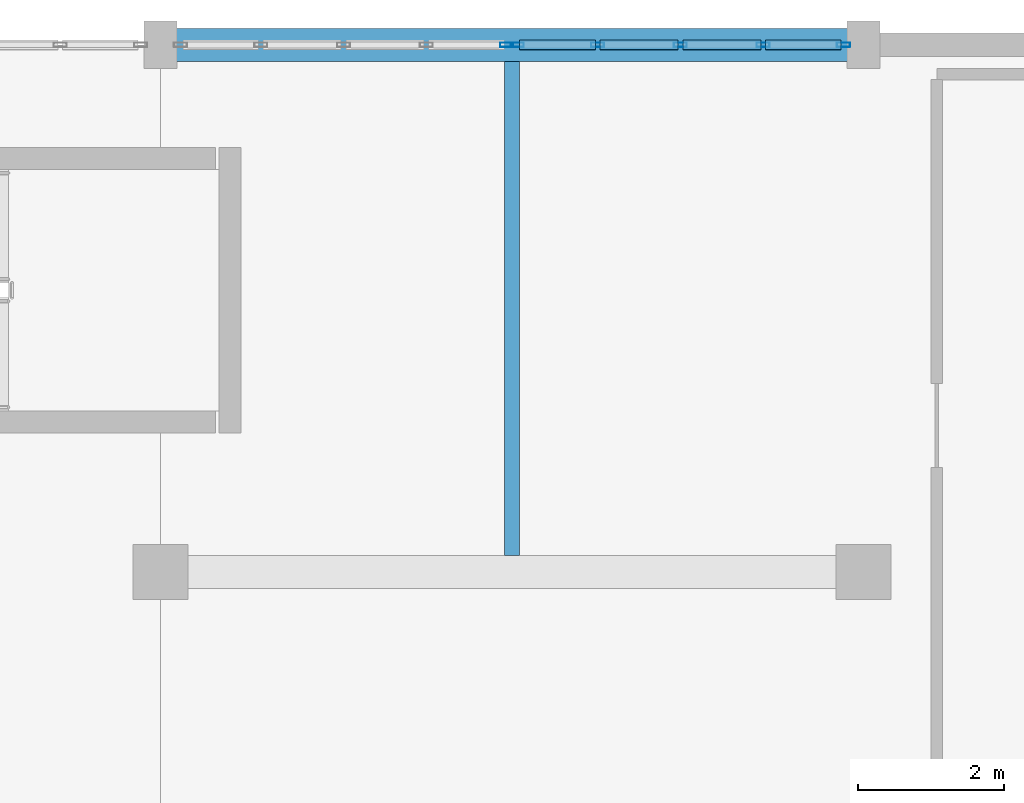
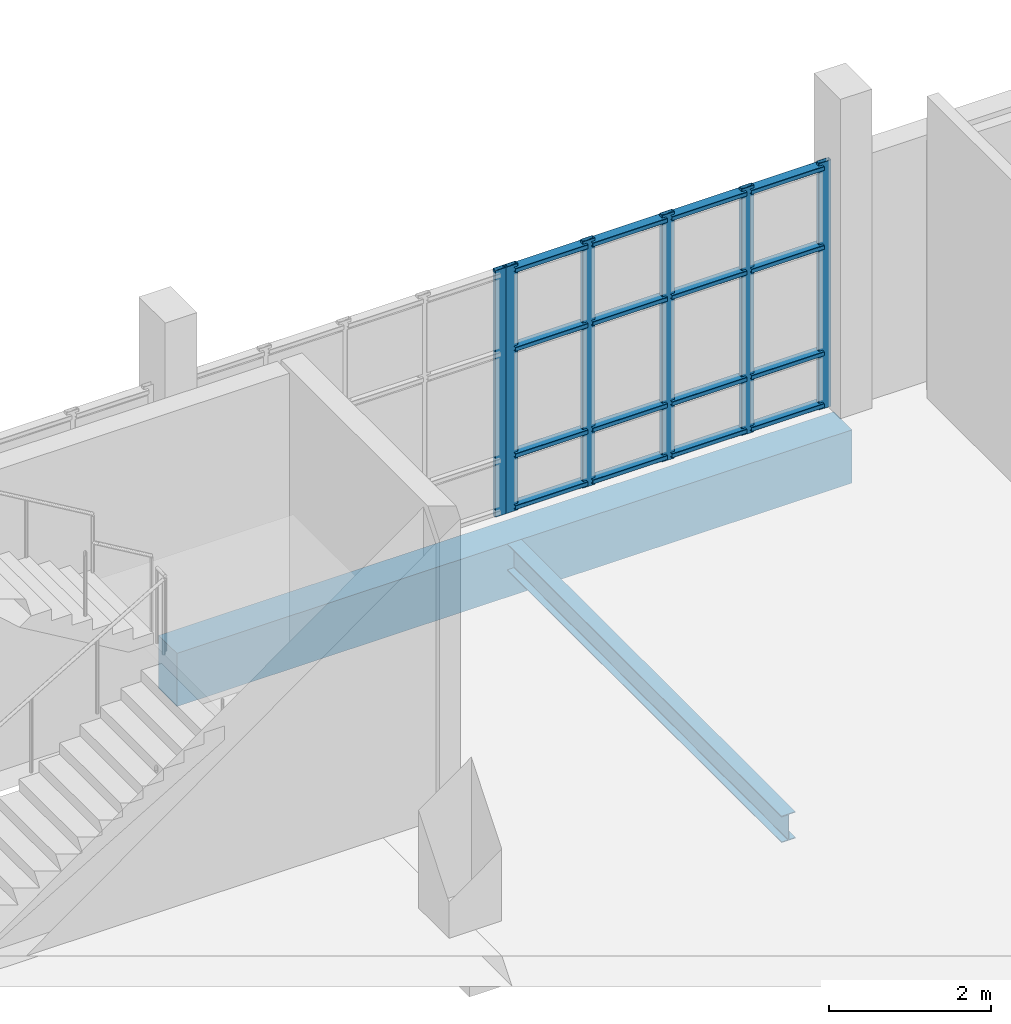
# One storey, part 60 of 106: 22 members, 2 beams, 2 elements without a shape of their own.
"""IFC4 building model written with IfcOpenShell, lengths in metres."""

from ifc_helpers import new_model, si_unit, direction, frame, origin, origin_2d, place, context, subcontext, project, spatial, rectangle, hollow_rectangle, i_section, extrude, material, layer, layer_set, material_profile, profile_set, type_object, element, aggregate, save


model = new_model("IFC4")

# Units and contexts
model_context = context("Model", 3, precision=1e-05, world=origin(), true_north=direction((0.0, 1.0)))
body_context = subcontext(model_context, "Body", "Model", "MODEL_VIEW")
ifc_project = project(units=[si_unit("LENGTHUNIT", "METRE"), si_unit("AREAUNIT", "SQUARE_METRE"), si_unit("VOLUMEUNIT", "CUBIC_METRE"), si_unit("PLANEANGLEUNIT", "RADIAN"), si_unit("MASSUNIT", "GRAM", prefix="KILO")], contexts=[model_context])

# Site, building, storey
site_placement = place(None, origin())
site = spatial("IfcSite", under=ifc_project, at=site_placement, CompositionType="ELEMENT")
building_placement = place(site_placement, origin())
building = spatial("IfcBuilding", under=site, at=building_placement, Name="Kisaragi Civic Commons", CompositionType="ELEMENT")
storey_placement = place(building_placement, frame((0.0, 0.0, 4.800048828125)))
storey = spatial("IfcBuildingStorey", under=building, at=storey_placement, Name="L01", CompositionType="ELEMENT", Elevation=4.800048828125)

# Curtain wall, member
ifc_material_1 = material(Name="Thermally broken anodized aluminium and low-E double glazing", Category="aluminium")
ifc_layer = layer(ifc_material_1, 0.179931640625, Name="Thermally broken anodized aluminium and low-E double glazing", Category="aluminium")
ifc_layer_set = layer_set([ifc_layer], Name="Thermally broken anodized aluminium and low-E double glazing")
curtain_wall_type = type_object("IfcCurtainWallType", Name="CW-01", PredefinedType="NOTDEFINED", material=ifc_layer_set)
curtain_wall_1_placement = place(storey_placement, origin())
curtain_wall_1 = element("IfcCurtainWall", 1, at=curtain_wall_1_placement, inside=storey, type_object=curtain_wall_type, Name="L01 curtain wall CW-01 CW-V4-L01-067", PredefinedType="NOTDEFINED")
ifc_material_profile_1 = material_profile(ifc_material_1, hollow_rectangle(XDim=0.06494140625, YDim=0.179931640625, WallThickness=0.00439453125, InnerFilletRadius=0.00439453125, OuterFilletRadius=0.009033203125, at=origin_2d()), Name="CWM-65x180x4.5", Category="aluminium")
ifc_profile_set_1 = profile_set([ifc_material_profile_1], Name="Thermally broken anodized aluminium and low-E double glazing")
member_type_1 = type_object("IfcMemberType", Name="CWM-02", PredefinedType="MULLION", material=ifc_profile_set_1)
member_1_placement = place(storey_placement, frame((128.327392578125, 118.800048828125, 0.0), z_axis=(0.0, 0.0, 1.0), x_axis=(0.0, 1.0, 0.0)))
member_1 = element("IfcMember", 2, at=member_1_placement, type_object=member_type_1, Name="CW-01 mullion 5", PredefinedType="MULLION", context=body_context, shape_type="SweptSolid", body=[
    extrude(hollow_rectangle(XDim=0.06494140625, YDim=0.179931640625, WallThickness=0.00439453125, InnerFilletRadius=0.00439453125, OuterFilletRadius=0.009033203125, at=origin_2d()), origin(), (0.0, 0.0, 1.0), 3.704833984375),
])
aggregate(curtain_wall_1, [member_1])

# Curtain wall, members
curtain_wall_2_placement = place(storey_placement, origin())
curtain_wall_2 = element("IfcCurtainWall", 3, at=curtain_wall_2_placement, inside=storey, type_object=curtain_wall_type, Name="L01 curtain wall CW-01 CW-V4-L01-068", PredefinedType="NOTDEFINED")
member_2_placement = place(storey_placement, frame((128.472412109375, 118.800048828125, 0.0), z_axis=(0.0, 0.0, 1.0), x_axis=(0.0, 1.0, 0.0)))
member_2 = element("IfcMember", 4, at=member_2_placement, type_object=member_type_1, Name="CW-01 mullion 1", PredefinedType="MULLION", context=body_context, shape_type="SweptSolid", body=[
    extrude(hollow_rectangle(XDim=0.06494140625, YDim=0.179931640625, WallThickness=0.00439453125, InnerFilletRadius=0.00439453125, OuterFilletRadius=0.009033203125, at=origin_2d()), origin(), (0.0, 0.0, 1.0), 3.704833984375),
])
member_3_placement = place(storey_placement, frame((129.570068359375, 118.800048828125, 0.0), z_axis=(0.0, 0.0, 1.0), x_axis=(0.0, 1.0, 0.0)))
member_3 = element("IfcMember", 5, at=member_3_placement, type_object=member_type_1, Name="CW-01 mullion 2", PredefinedType="MULLION", context=body_context, shape_type="SweptSolid", body=[
    extrude(hollow_rectangle(XDim=0.06494140625, YDim=0.179931640625, WallThickness=0.00439453125, InnerFilletRadius=0.00439453125, OuterFilletRadius=0.009033203125, at=origin_2d()), origin(), (0.0, 0.0, 1.0), 3.704833984375),
])
member_4_placement = place(storey_placement, frame((130.699951171875, 118.800048828125, 0.0), z_axis=(0.0, 0.0, 1.0), x_axis=(0.0, 1.0, 0.0)))
member_4 = element("IfcMember", 6, at=member_4_placement, type_object=member_type_1, Name="CW-01 mullion 3", PredefinedType="MULLION", context=body_context, shape_type="SweptSolid", body=[
    extrude(hollow_rectangle(XDim=0.06494140625, YDim=0.179931640625, WallThickness=0.00439453125, InnerFilletRadius=0.00439453125, OuterFilletRadius=0.009033203125, at=origin_2d()), origin(), (0.0, 0.0, 1.0), 3.704833984375),
])
member_5_placement = place(storey_placement, frame((131.830078125, 118.800048828125, 0.0), z_axis=(0.0, 0.0, 1.0), x_axis=(0.0, 1.0, 0.0)))
member_5 = element("IfcMember", 7, at=member_5_placement, type_object=member_type_1, Name="CW-01 mullion 4", PredefinedType="MULLION", context=body_context, shape_type="SweptSolid", body=[
    extrude(hollow_rectangle(XDim=0.06494140625, YDim=0.179931640625, WallThickness=0.00439453125, InnerFilletRadius=0.00439453125, OuterFilletRadius=0.009033203125, at=origin_2d()), origin(), (0.0, 0.0, 1.0), 3.704833984375),
])
member_6_placement = place(storey_placement, frame((132.927490234375, 118.800048828125, 0.0), z_axis=(0.0, 0.0, 1.0), x_axis=(0.0, 1.0, 0.0)))
member_6 = element("IfcMember", 8, at=member_6_placement, type_object=member_type_1, Name="CW-01 mullion 5", PredefinedType="MULLION", context=body_context, shape_type="SweptSolid", body=[
    extrude(hollow_rectangle(XDim=0.06494140625, YDim=0.179931640625, WallThickness=0.00439453125, InnerFilletRadius=0.00439453125, OuterFilletRadius=0.009033203125, at=origin_2d()), origin(), (0.0, 0.0, 1.0), 3.704833984375),
])
ifc_material_profile_2 = material_profile(ifc_material_1, hollow_rectangle(XDim=0.139892578125, YDim=0.06494140625, WallThickness=0.00439453125, InnerFilletRadius=0.00439453125, OuterFilletRadius=0.009033203125, at=origin_2d()), Name="CWT-65x140x4.5", Category="aluminium")
ifc_profile_set_2 = profile_set([ifc_material_profile_2], Name="Thermally broken anodized aluminium and low-E double glazing")
member_type_2 = type_object("IfcMemberType", Name="CWT-02", PredefinedType="USERDEFINED", material=ifc_profile_set_2)
member_7_placement = place(storey_placement, frame((128.5048828125, 118.800048828125, 0.070068359375), z_axis=(1.0, 0.0, 0.0), x_axis=(0.0, 1.0, 0.0)))
member_7 = element("IfcMember", 9, at=member_7_placement, type_object=member_type_2, Name="CW-01 transom 1.1", ObjectType="TRANSOM", PredefinedType="USERDEFINED", context=body_context, shape_type="SweptSolid", body=[
    extrude(hollow_rectangle(XDim=0.139892578125, YDim=0.06494140625, WallThickness=0.00439453125, InnerFilletRadius=0.00439453125, OuterFilletRadius=0.009033203125, at=origin_2d()), origin(), (0.0, 0.0, 1.0), 1.03271484375),
])
member_8_placement = place(storey_placement, frame((128.5048828125, 118.800048828125, 0.849853515625), z_axis=(1.0, 0.0, 0.0), x_axis=(0.0, 1.0, 0.0)))
member_8 = element("IfcMember", 10, at=member_8_placement, type_object=member_type_2, Name="CW-01 transom 1.2", ObjectType="TRANSOM", PredefinedType="USERDEFINED", context=body_context, shape_type="SweptSolid", body=[
    extrude(hollow_rectangle(XDim=0.139892578125, YDim=0.06494140625, WallThickness=0.00439453125, InnerFilletRadius=0.00439453125, OuterFilletRadius=0.009033203125, at=origin_2d()), origin(), (0.0, 0.0, 1.0), 1.03271484375),
])
member_9_placement = place(storey_placement, frame((128.5048828125, 118.800048828125, 2.449951171875), z_axis=(1.0, 0.0, 0.0), x_axis=(0.0, 1.0, 0.0)))
member_9 = element("IfcMember", 11, at=member_9_placement, type_object=member_type_2, Name="CW-01 transom 1.3", ObjectType="TRANSOM", PredefinedType="USERDEFINED", context=body_context, shape_type="SweptSolid", body=[
    extrude(hollow_rectangle(XDim=0.139892578125, YDim=0.06494140625, WallThickness=0.00439453125, InnerFilletRadius=0.00439453125, OuterFilletRadius=0.009033203125, at=origin_2d()), origin(), (0.0, 0.0, 1.0), 1.03271484375),
])
member_10_placement = place(storey_placement, frame((128.5048828125, 118.800048828125, 3.635009765625), z_axis=(1.0, 0.0, 0.0), x_axis=(0.0, 1.0, 0.0)))
member_10 = element("IfcMember", 12, at=member_10_placement, type_object=member_type_2, Name="CW-01 transom 1.4", ObjectType="TRANSOM", PredefinedType="USERDEFINED", context=body_context, shape_type="SweptSolid", body=[
    extrude(hollow_rectangle(XDim=0.139892578125, YDim=0.06494140625, WallThickness=0.00439453125, InnerFilletRadius=0.00439453125, OuterFilletRadius=0.009033203125, at=origin_2d()), origin(), (0.0, 0.0, 1.0), 1.03271484375),
])
member_11_placement = place(storey_placement, frame((129.6025390625, 118.800048828125, 0.070068359375), z_axis=(1.0, 0.0, 0.0), x_axis=(0.0, 1.0, 0.0)))
member_11 = element("IfcMember", 13, at=member_11_placement, type_object=member_type_2, Name="CW-01 transom 2.1", ObjectType="TRANSOM", PredefinedType="USERDEFINED", context=body_context, shape_type="SweptSolid", body=[
    extrude(hollow_rectangle(XDim=0.139892578125, YDim=0.06494140625, WallThickness=0.00439453125, InnerFilletRadius=0.00439453125, OuterFilletRadius=0.009033203125, at=origin_2d()), origin(), (0.0, 0.0, 1.0), 1.06494140625),
])
member_12_placement = place(storey_placement, frame((129.6025390625, 118.800048828125, 0.849853515625), z_axis=(1.0, 0.0, 0.0), x_axis=(0.0, 1.0, 0.0)))
member_12 = element("IfcMember", 14, at=member_12_placement, type_object=member_type_2, Name="CW-01 transom 2.2", ObjectType="TRANSOM", PredefinedType="USERDEFINED", context=body_context, shape_type="SweptSolid", body=[
    extrude(hollow_rectangle(XDim=0.139892578125, YDim=0.06494140625, WallThickness=0.00439453125, InnerFilletRadius=0.00439453125, OuterFilletRadius=0.009033203125, at=origin_2d()), origin(), (0.0, 0.0, 1.0), 1.06494140625),
])
member_13_placement = place(storey_placement, frame((129.6025390625, 118.800048828125, 2.449951171875), z_axis=(1.0, 0.0, 0.0), x_axis=(0.0, 1.0, 0.0)))
member_13 = element("IfcMember", 15, at=member_13_placement, type_object=member_type_2, Name="CW-01 transom 2.3", ObjectType="TRANSOM", PredefinedType="USERDEFINED", context=body_context, shape_type="SweptSolid", body=[
    extrude(hollow_rectangle(XDim=0.139892578125, YDim=0.06494140625, WallThickness=0.00439453125, InnerFilletRadius=0.00439453125, OuterFilletRadius=0.009033203125, at=origin_2d()), origin(), (0.0, 0.0, 1.0), 1.06494140625),
])
member_14_placement = place(storey_placement, frame((129.6025390625, 118.800048828125, 3.635009765625), z_axis=(1.0, 0.0, 0.0), x_axis=(0.0, 1.0, 0.0)))
member_14 = element("IfcMember", 16, at=member_14_placement, type_object=member_type_2, Name="CW-01 transom 2.4", ObjectType="TRANSOM", PredefinedType="USERDEFINED", context=body_context, shape_type="SweptSolid", body=[
    extrude(hollow_rectangle(XDim=0.139892578125, YDim=0.06494140625, WallThickness=0.00439453125, InnerFilletRadius=0.00439453125, OuterFilletRadius=0.009033203125, at=origin_2d()), origin(), (0.0, 0.0, 1.0), 1.06494140625),
])
member_15_placement = place(storey_placement, frame((130.732421875, 118.800048828125, 0.070068359375), z_axis=(1.0, 0.0, 0.0), x_axis=(0.0, 1.0, 0.0)))
member_15 = element("IfcMember", 17, at=member_15_placement, type_object=member_type_2, Name="CW-01 transom 3.1", ObjectType="TRANSOM", PredefinedType="USERDEFINED", context=body_context, shape_type="SweptSolid", body=[
    extrude(hollow_rectangle(XDim=0.139892578125, YDim=0.06494140625, WallThickness=0.00439453125, InnerFilletRadius=0.00439453125, OuterFilletRadius=0.009033203125, at=origin_2d()), origin(), (0.0, 0.0, 1.0), 1.065185546875),
])
member_16_placement = place(storey_placement, frame((130.732421875, 118.800048828125, 0.849853515625), z_axis=(1.0, 0.0, 0.0), x_axis=(0.0, 1.0, 0.0)))
member_16 = element("IfcMember", 18, at=member_16_placement, type_object=member_type_2, Name="CW-01 transom 3.2", ObjectType="TRANSOM", PredefinedType="USERDEFINED", context=body_context, shape_type="SweptSolid", body=[
    extrude(hollow_rectangle(XDim=0.139892578125, YDim=0.06494140625, WallThickness=0.00439453125, InnerFilletRadius=0.00439453125, OuterFilletRadius=0.009033203125, at=origin_2d()), origin(), (0.0, 0.0, 1.0), 1.065185546875),
])
member_17_placement = place(storey_placement, frame((130.732421875, 118.800048828125, 2.449951171875), z_axis=(1.0, 0.0, 0.0), x_axis=(0.0, 1.0, 0.0)))
member_17 = element("IfcMember", 19, at=member_17_placement, type_object=member_type_2, Name="CW-01 transom 3.3", ObjectType="TRANSOM", PredefinedType="USERDEFINED", context=body_context, shape_type="SweptSolid", body=[
    extrude(hollow_rectangle(XDim=0.139892578125, YDim=0.06494140625, WallThickness=0.00439453125, InnerFilletRadius=0.00439453125, OuterFilletRadius=0.009033203125, at=origin_2d()), origin(), (0.0, 0.0, 1.0), 1.065185546875),
])
member_18_placement = place(storey_placement, frame((130.732421875, 118.800048828125, 3.635009765625), z_axis=(1.0, 0.0, 0.0), x_axis=(0.0, 1.0, 0.0)))
member_18 = element("IfcMember", 20, at=member_18_placement, type_object=member_type_2, Name="CW-01 transom 3.4", ObjectType="TRANSOM", PredefinedType="USERDEFINED", context=body_context, shape_type="SweptSolid", body=[
    extrude(hollow_rectangle(XDim=0.139892578125, YDim=0.06494140625, WallThickness=0.00439453125, InnerFilletRadius=0.00439453125, OuterFilletRadius=0.009033203125, at=origin_2d()), origin(), (0.0, 0.0, 1.0), 1.065185546875),
])
member_19_placement = place(storey_placement, frame((131.862548828125, 118.800048828125, 0.070068359375), z_axis=(1.0, 0.0, 0.0), x_axis=(0.0, 1.0, 0.0)))
member_19 = element("IfcMember", 21, at=member_19_placement, type_object=member_type_2, Name="CW-01 transom 4.1", ObjectType="TRANSOM", PredefinedType="USERDEFINED", context=body_context, shape_type="SweptSolid", body=[
    extrude(hollow_rectangle(XDim=0.139892578125, YDim=0.06494140625, WallThickness=0.00439453125, InnerFilletRadius=0.00439453125, OuterFilletRadius=0.009033203125, at=origin_2d()), origin(), (0.0, 0.0, 1.0), 1.032470703125),
])
member_20_placement = place(storey_placement, frame((131.862548828125, 118.800048828125, 0.849853515625), z_axis=(1.0, 0.0, 0.0), x_axis=(0.0, 1.0, 0.0)))
member_20 = element("IfcMember", 22, at=member_20_placement, type_object=member_type_2, Name="CW-01 transom 4.2", ObjectType="TRANSOM", PredefinedType="USERDEFINED", context=body_context, shape_type="SweptSolid", body=[
    extrude(hollow_rectangle(XDim=0.139892578125, YDim=0.06494140625, WallThickness=0.00439453125, InnerFilletRadius=0.00439453125, OuterFilletRadius=0.009033203125, at=origin_2d()), origin(), (0.0, 0.0, 1.0), 1.032470703125),
])
member_21_placement = place(storey_placement, frame((131.862548828125, 118.800048828125, 2.449951171875), z_axis=(1.0, 0.0, 0.0), x_axis=(0.0, 1.0, 0.0)))
member_21 = element("IfcMember", 23, at=member_21_placement, type_object=member_type_2, Name="CW-01 transom 4.3", ObjectType="TRANSOM", PredefinedType="USERDEFINED", context=body_context, shape_type="SweptSolid", body=[
    extrude(hollow_rectangle(XDim=0.139892578125, YDim=0.06494140625, WallThickness=0.00439453125, InnerFilletRadius=0.00439453125, OuterFilletRadius=0.009033203125, at=origin_2d()), origin(), (0.0, 0.0, 1.0), 1.032470703125),
])
member_22_placement = place(storey_placement, frame((131.862548828125, 118.800048828125, 3.635009765625), z_axis=(1.0, 0.0, 0.0), x_axis=(0.0, 1.0, 0.0)))
member_22 = element("IfcMember", 24, at=member_22_placement, type_object=member_type_2, Name="CW-01 transom 4.4", ObjectType="TRANSOM", PredefinedType="USERDEFINED", context=body_context, shape_type="SweptSolid", body=[
    extrude(hollow_rectangle(XDim=0.139892578125, YDim=0.06494140625, WallThickness=0.00439453125, InnerFilletRadius=0.00439453125, OuterFilletRadius=0.009033203125, at=origin_2d()), origin(), (0.0, 0.0, 1.0), 1.032470703125),
])
aggregate(curtain_wall_2, [member_2, member_3, member_4, member_5, member_6, member_7, member_8, member_9, member_10, member_11, member_12, member_13, member_14, member_15, member_16, member_17, member_18, member_19, member_20, member_21, member_22])

# Beams
ifc_material_2 = material(Name="Steel SN400 (SN400B)", Category="steel")
ifc_material_profile_3 = material_profile(ifc_material_2, i_section(OverallWidth=0.199951171875, OverallDepth=0.39990234375, WebThickness=0.008056640625, FlangeThickness=0.012939453125, FilletRadius=0.012939453125, at=origin_2d()), Name="H-400x200x8x13", Category="steel")
ifc_profile_set_3 = profile_set([ifc_material_profile_3], Name="Steel SN400 (SN400B)")
beam_type_1 = type_object("IfcBeamType", Name="J-01", PredefinedType="JOIST", material=ifc_profile_set_3)
beam_1_placement = place(storey_placement, frame((128.39990234375, 111.824951171875, -0.505126953125), z_axis=(0.0, 1.0, 0.0), x_axis=(-1.0, 0.0, 0.0)))
element("IfcBeam", 25, at=beam_1_placement, inside=storey, type_object=beam_type_1, Name="L01 secondary steel joist J-01 51", PredefinedType="JOIST", context=body_context, shape_type="SweptSolid", body=[
    extrude(i_section(OverallWidth=0.199951171875, OverallDepth=0.39990234375, WebThickness=0.008056640625, FlangeThickness=0.012939453125, FilletRadius=0.012939453125, at=origin_2d()), origin(), (0.0, 0.0, 1.0), 6.75),
])
ifc_material_3 = material(Name="Concrete Fc30", Category="concrete")
ifc_material_profile_4 = material_profile(ifc_material_3, rectangle(XDim=0.449951171875, YDim=0.800048828125, at=origin_2d()), Name="RC-450x800", Category="concrete")
ifc_profile_set_4 = profile_set([ifc_material_profile_4], Name="Concrete Fc30")
beam_type_2 = type_object("IfcBeamType", Name="SPB-01", PredefinedType="SPANDREL", material=ifc_profile_set_4)
beam_2_placement = place(storey_placement, frame((123.60009765625, 118.800048828125, -0.705078125), z_axis=(1.0, 0.0, 0.0), x_axis=(0.0, 1.0, 0.0)))
element("IfcBeam", 26, at=beam_2_placement, inside=storey, type_object=beam_type_2, Name="L01 girder SPB-01 239", PredefinedType="SPANDREL", context=body_context, shape_type="SweptSolid", body=[
    extrude(rectangle(XDim=0.449951171875, YDim=0.800048828125, at=origin_2d()), origin(), (0.0, 0.0, 1.0), 9.599853515625),
])

save(model, "model.ifc")
